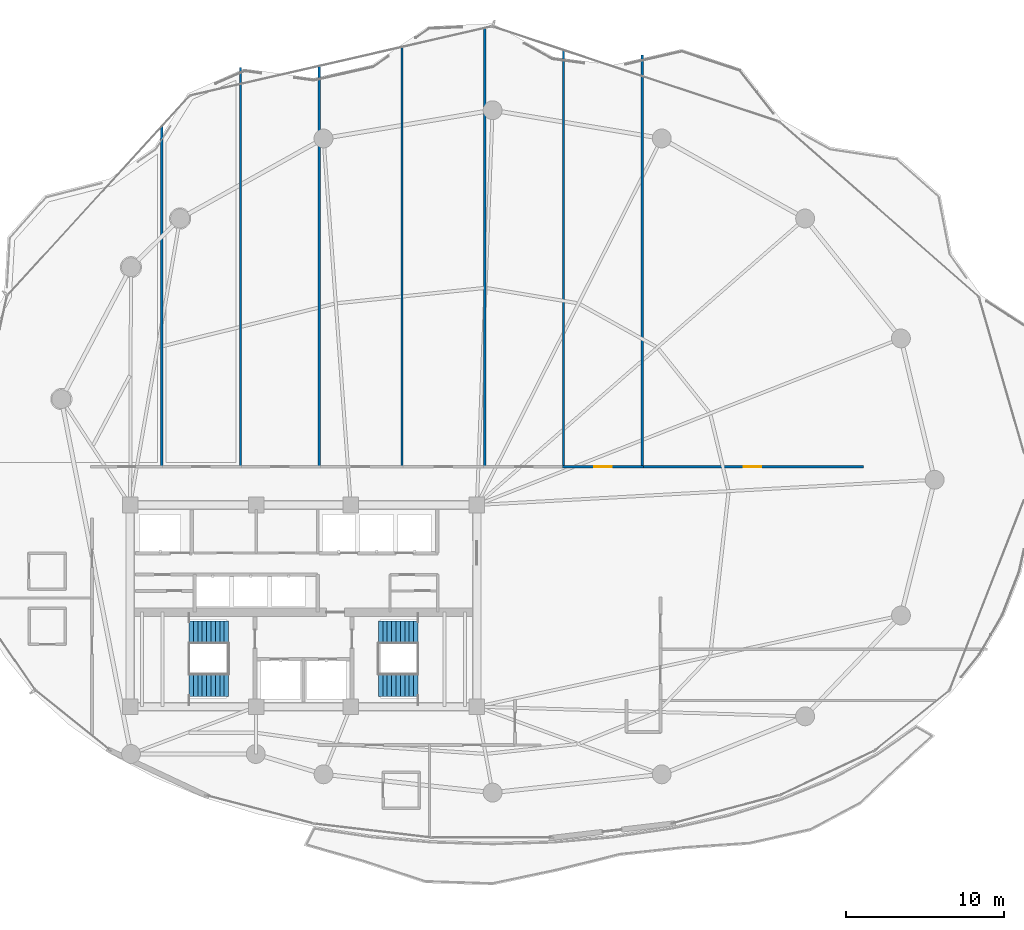
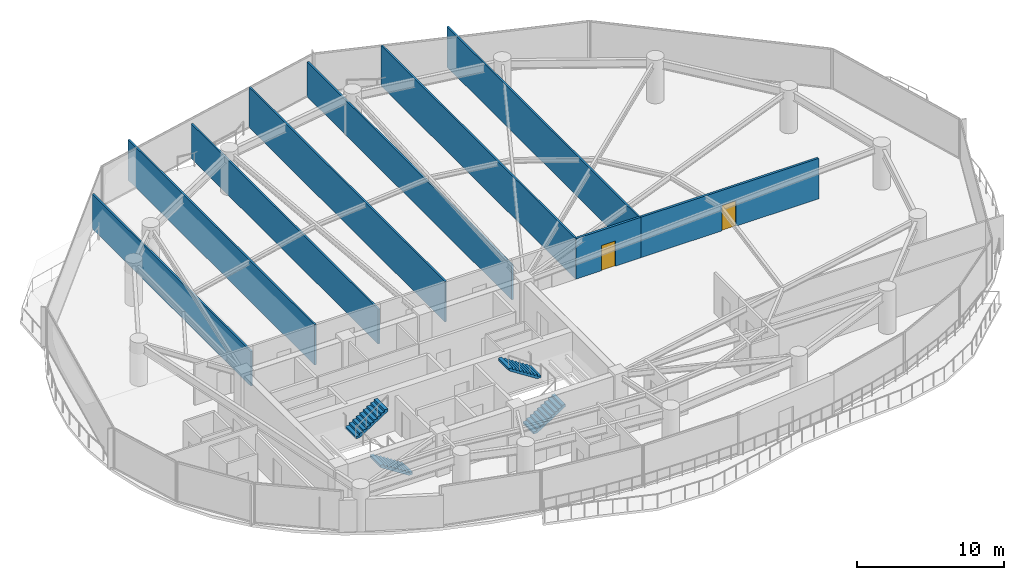
# One storey, part 28 of 34: 9 walls, 4 stair flights, 2 doors, 2 openings, 2 elements without a shape of their own.
"""IFC4 building model written with IfcOpenShell, lengths in metres."""

from ifc_helpers import new_model, si_unit, direction, frame, frame_2d, origin, place, context, subcontext, project, spatial, polyline, rectangle, outline, extrude, material, layer, layer_set, type_object, element, fill, aggregate, save


model = new_model("IFC4")

# Units and contexts
model_context = context("Model", 3, precision=1e-05, world=origin(), true_north=direction((0.0, 1.0)))
body_context = subcontext(model_context, "Body", "Model", "MODEL_VIEW")
ifc_project = project(units=[si_unit("LENGTHUNIT", "METRE"), si_unit("AREAUNIT", "SQUARE_METRE"), si_unit("VOLUMEUNIT", "CUBIC_METRE"), si_unit("PLANEANGLEUNIT", "RADIAN"), si_unit("MASSUNIT", "GRAM", prefix="KILO")], contexts=[model_context])

# Site, building, storey
site_placement = place(None, origin())
site = spatial("IfcSite", under=ifc_project, at=site_placement, CompositionType="ELEMENT")
building_placement = place(site_placement, origin())
building = spatial("IfcBuilding", under=site, at=building_placement, Name="Kazevale Care Tower and Concert Hall", CompositionType="ELEMENT")
storey_placement = place(building_placement, frame((0.0, 0.0, 156.60009765625)))
storey = spatial("IfcBuildingStorey", under=building, at=storey_placement, Name="L41", CompositionType="ELEMENT", Elevation=156.60009765625)

# Walls
ifc_material_1 = material(Name="Acoustic Gypsum on Steel Stud", Category="steel")
ifc_layer_1 = layer(ifc_material_1, 0.139892578125)
ifc_layer_set_1 = layer_set([ifc_layer_1], Name="Acoustic Gypsum on Steel Stud")
wall_type_1 = type_object("IfcWallType", Name="Acoustic Care & Suite Partition 140", PredefinedType="PARTITIONING", material=ifc_layer_set_1)
wall_1_placement = place(storey_placement, frame((24.0, 60.406005859375, 0.0), z_axis=(0.0, 0.0, 1.0), x_axis=(0.0, -1.0, 0.0)))
element("IfcWall", 1, at=wall_1_placement, inside=storey, type_object=wall_type_1, Name="wall:L41:auto_019", PredefinedType="PARTITIONING", context=body_context, shape_type="SweptSolid", body=[
    extrude(rectangle(XDim=21.611083984375, YDim=0.139892578125, at=frame_2d((10.8056640625, 0.0))), origin(), (0.0, 0.0, 1.0), 2.889892578125),
])
wall_2_placement = place(storey_placement, frame((29.0, 64.166015625, 0.0), z_axis=(0.0, 0.0, 1.0), x_axis=(0.0, -1.0, 0.0)))
element("IfcWall", 2, at=wall_2_placement, inside=storey, type_object=wall_type_1, Name="wall:L41:auto_020", PredefinedType="PARTITIONING", context=body_context, shape_type="SweptSolid", body=[
    extrude(rectangle(XDim=25.37109375, YDim=0.139892578125, at=frame_2d((12.685546875, 0.0))), origin(), (0.0, 0.0, 1.0), 3.35986328125),
])
wall_3_placement = place(storey_placement, frame((34.0, 64.244384765625, 0.0), z_axis=(0.0, 0.0, 1.0), x_axis=(0.0, -1.0, 0.0)))
element("IfcWall", 3, at=wall_3_placement, inside=storey, type_object=wall_type_1, Name="wall:L41:auto_021", PredefinedType="PARTITIONING", context=body_context, shape_type="SweptSolid", body=[
    extrude(rectangle(XDim=25.449462890625, YDim=0.139892578125, at=frame_2d((12.724609375, 0.0))), origin(), (0.0, 0.0, 1.0), 2.889892578125),
])
wall_4_placement = place(storey_placement, frame((39.25, 65.44873046875, 0.0), z_axis=(0.0, 0.0, 1.0), x_axis=(0.0, -1.0, 0.0)))
element("IfcWall", 4, at=wall_4_placement, inside=storey, type_object=wall_type_1, Name="wall:L41:auto_022", PredefinedType="PARTITIONING", context=body_context, shape_type="SweptSolid", body=[
    extrude(rectangle(XDim=26.65380859375, YDim=0.139892578125, at=frame_2d((13.326904296875, 0.0))), origin(), (0.0, 0.0, 1.0), 3.35986328125),
])
wall_5_placement = place(storey_placement, frame((44.5, 66.65283203125, 0.0), z_axis=(0.0, 0.0, 1.0), x_axis=(0.0, -1.0, 0.0)))
element("IfcWall", 5, at=wall_5_placement, inside=storey, type_object=wall_type_1, Name="wall:L41:auto_023", PredefinedType="PARTITIONING", context=body_context, shape_type="SweptSolid", body=[
    extrude(rectangle(XDim=27.85791015625, YDim=0.139892578125, at=frame_2d((13.928955078125, 0.0))), origin(), (0.0, 0.0, 1.0), 2.889892578125),
])
wall_6_placement = place(storey_placement, frame((49.5, 65.251220703125, 0.0), z_axis=(0.0, 0.0, 1.0), x_axis=(0.0, -1.0, 0.0)))
element("IfcWall", 6, at=wall_6_placement, inside=storey, type_object=wall_type_1, Name="wall:L41:auto_024", PredefinedType="PARTITIONING", context=body_context, shape_type="SweptSolid", body=[
    extrude(rectangle(XDim=26.456298828125, YDim=0.139892578125, at=frame_2d((13.22802734375, 0.0))), origin(), (0.0, 0.0, 1.0), 3.35986328125),
])
wall_7_placement = place(storey_placement, frame((54.5, 64.943115234375, 0.0), z_axis=(0.0, 0.0, 1.0), x_axis=(0.0, -1.0, 0.0)))
element("IfcWall", 7, at=wall_7_placement, inside=storey, type_object=wall_type_1, Name="wall:L41:auto_025", PredefinedType="PARTITIONING", context=body_context, shape_type="SweptSolid", body=[
    extrude(rectangle(XDim=26.148193359375, YDim=0.139892578125, at=frame_2d((13.07421875, 0.0))), origin(), (0.0, 0.0, 1.0), 3.35986328125),
])

# Wall, opening, door
ifc_material_2 = material(Name="Concrete C40 and Acoustic Gypsum", Category="concrete")
ifc_layer_2 = layer(ifc_material_2, 0.179931640625)
ifc_layer_set_2 = layer_set([ifc_layer_2], Name="Concrete C40 and Acoustic Gypsum")
wall_type_2 = type_object("IfcWallType", Name="Fire-Rated Corridor & Party Wall 180", PredefinedType="PARTITIONING", material=ifc_layer_set_2)
wall_8_placement = place(storey_placement, frame((49.43505859375, 38.824951171875, 0.0), z_axis=(0.0, 0.0, 1.0), x_axis=(1.0, 0.0, 0.0)))
wall_8 = element("IfcWall", 8, at=wall_8_placement, inside=storey, type_object=wall_type_2, Name="wall:L41:auto_007", PredefinedType="PARTITIONING", context=body_context, shape_type="SweptSolid", body=[
    extrude(rectangle(XDim=5.1298828125, YDim=0.179931640625, at=frame_2d((2.56494140625, 0.0))), origin(), (0.0, 0.0, 1.0), 3.35986328125),
])
opening_1_placement = place(wall_8_placement, frame((2.014892578125, 0.0, 0.0)))
opening_1 = element("IfcOpeningElement", 9, at=opening_1_placement, cuts=wall_8, Name="Opening ID-1100", PredefinedType="OPENING", context=body_context, shape_type="SweptSolid", body=[
    extrude(rectangle(XDim=1.10009765625, YDim=2.10009765625, at=frame_2d((0.550048828125, 1.050048828125))), frame((0.0, 0.099853515625, 0.0), z_axis=(0.0, -1.0, 0.0), x_axis=(1.0, 0.0, 0.0)), (0.0, 0.0, 1.0), 0.199951171875),
])
ifc_material_3 = material(Name="Oak Timber Fire Leaf", Category="wood")
door_type = type_object("IfcDoorType", Name="Care Bedroom Accessible Door 1100x2100", OperationType="NOTDEFINED", PredefinedType="DOOR", material=ifc_material_3)
door_1_placement = place(opening_1_placement, origin())
door_1 = element("IfcDoor", 10, at=door_1_placement, inside=storey, type_object=door_type, Name="door:L41:ad_007", OperationType="SINGLE_SWING_LEFT", OverallHeight=2.10009765625, OverallWidth=1.10009765625, PredefinedType="DOOR", context=body_context, shape_type="SweptSolid", body=[
    extrude(rectangle(XDim=1.10009765625, YDim=2.10009765625, at=frame_2d((0.550048828125, 1.050048828125))), frame((0.0, 0.02490234375, 0.0), z_axis=(0.0, -1.0, 0.0), x_axis=(1.0, 0.0, 0.0)), (0.0, 0.0, 1.0), 0.050048828125),
])
fill(opening_1, door_1)

wall_9_placement = place(storey_placement, frame((54.43505859375, 38.824951171875, 0.0), z_axis=(0.0, 0.0, 1.0), x_axis=(1.0, 0.0, 0.0)))
wall_9 = element("IfcWall", 11, at=wall_9_placement, inside=storey, type_object=wall_type_2, Name="wall:L41:auto_008", PredefinedType="PARTITIONING", context=body_context, shape_type="SweptSolid", body=[
    extrude(rectangle(XDim=14.094970703125, YDim=0.179931640625, at=frame_2d((7.04736328125, 0.0))), origin(), (0.0, 0.0, 1.0), 3.35986328125),
])
opening_2_placement = place(wall_9_placement, frame((6.498046875, 0.0, 0.0)))
opening_2 = element("IfcOpeningElement", 12, at=opening_2_placement, cuts=wall_9, Name="Opening ID-1100", PredefinedType="OPENING", context=body_context, shape_type="SweptSolid", body=[
    extrude(rectangle(XDim=1.10009765625, YDim=2.10009765625, at=frame_2d((0.550048828125, 1.050048828125))), frame((0.0, 0.099853515625, 0.0), z_axis=(0.0, -1.0, 0.0), x_axis=(1.0, 0.0, 0.0)), (0.0, 0.0, 1.0), 0.199951171875),
])
door_2_placement = place(opening_2_placement, origin())
door_2 = element("IfcDoor", 13, at=door_2_placement, inside=storey, type_object=door_type, Name="door:L41:ad_008", OperationType="SINGLE_SWING_LEFT", OverallHeight=2.10009765625, OverallWidth=1.10009765625, PredefinedType="DOOR", context=body_context, shape_type="SweptSolid", body=[
    extrude(rectangle(XDim=1.10009765625, YDim=2.10009765625, at=frame_2d((0.550048828125, 1.050048828125))), frame((0.0, 0.02490234375, 0.0), z_axis=(0.0, -1.0, 0.0), x_axis=(1.0, 0.0, 0.0)), (0.0, 0.0, 1.0), 0.050048828125),
])
fill(opening_2, door_2)

# Stair, stair flights
ifc_material_4 = material(Name="Concrete C40", Category="concrete")
stair_type = type_object("IfcStairType", Name="Exit Stair Assembly ST1-Z2", PredefinedType="HALF_TURN_STAIR", material=ifc_material_4)
stair_1_placement = place(storey_placement, origin())
stair_1 = element("IfcStair", 14, at=stair_1_placement, inside=storey, type_object=stair_type, Name="stair:L41:ST1", PredefinedType="HALF_TURN_STAIR")
ifc_layer_3 = layer(ifc_material_4, 0.159912109375)
ifc_layer_set_3 = layer_set([ifc_layer_3], Name="Concrete C40")
stair_flight_type = type_object("IfcStairFlightType", Name="Exit Stair Flight ST1-Z2", PredefinedType="STRAIGHT", material=ifc_layer_set_3)
stair_flight_1_placement = place(storey_placement, frame((28.25, 24.97998046875, 0.0), z_axis=(0.0, 0.0, 1.0), x_axis=(-1.0, 0.0, 0.0)))
stair_flight_1 = element("IfcStairFlight", 15, at=stair_flight_1_placement, type_object=stair_flight_type, Name="ST1-Z2 flight 1", NumberOfRisers=10, NumberOfTreads=9, PredefinedType="STRAIGHT", RiserHeight=0.18, TreadLength=0.28, context=body_context, shape_type="SweptSolid", body=[
    extrude(outline(polyline([(0.0, 0.0), (0.0, 0.179931640625), (0.280029296875, 0.179931640625), (0.280029296875, 0.360107421875), (0.56005859375, 0.360107421875), (0.56005859375, 0.5400390625), (0.840087890625, 0.5400390625), (0.840087890625, 0.719970703125), (1.1201171875, 0.719970703125), (1.1201171875, 0.89990234375), (1.39990234375, 0.89990234375), (1.39990234375, 1.080078125), (1.679931640625, 1.080078125), (1.679931640625, 1.260009765625), (1.9599609375, 1.260009765625), (1.9599609375, 1.43994140625), (2.239990234375, 1.43994140625), (2.239990234375, 1.6201171875), (2.52001953125, 1.6201171875), (2.52001953125, 1.800048828125), (2.52001953125, 1.429931640625), (0.295654296875, 0.0), (0.0, 0.0)])), frame((0.0, 0.72998046875, 0.0), z_axis=(0.0, -1.0, 0.0), x_axis=(1.0, 0.0, 0.0)), (0.0, 0.0, 1.0), 1.4599609375),
])
stair_flight_2_placement = place(storey_placement, frame((25.72998046875, 28.320068359375, 1.7998046875), z_axis=(0.0, 0.0, 1.0), x_axis=(1.0, 0.0, 0.0)))
stair_flight_2 = element("IfcStairFlight", 16, at=stair_flight_2_placement, type_object=stair_flight_type, Name="ST1-Z2 flight 2", NumberOfRisers=10, NumberOfTreads=9, PredefinedType="STRAIGHT", RiserHeight=0.18, TreadLength=0.28, context=body_context, shape_type="SweptSolid", body=[
    extrude(outline(polyline([(0.0, 0.0), (0.0, 0.179931640625), (0.280029296875, 0.179931640625), (0.280029296875, 0.360107421875), (0.56005859375, 0.360107421875), (0.56005859375, 0.5400390625), (0.840087890625, 0.5400390625), (0.840087890625, 0.719970703125), (1.1201171875, 0.719970703125), (1.1201171875, 0.89990234375), (1.39990234375, 0.89990234375), (1.39990234375, 1.080078125), (1.679931640625, 1.080078125), (1.679931640625, 1.260009765625), (1.9599609375, 1.260009765625), (1.9599609375, 1.43994140625), (2.239990234375, 1.43994140625), (2.239990234375, 1.6201171875), (2.52001953125, 1.6201171875), (2.52001953125, 1.800048828125), (2.52001953125, 1.429931640625), (0.295654296875, 0.0), (0.0, 0.0)])), frame((0.0, 0.72998046875, 0.0), z_axis=(0.0, -1.0, 0.0), x_axis=(1.0, 0.0, 0.0)), (0.0, 0.0, 1.0), 1.4599609375),
])
aggregate(stair_1, [stair_flight_1, stair_flight_2])

stair_2_placement = place(storey_placement, origin())
stair_2 = element("IfcStair", 17, at=stair_2_placement, inside=storey, type_object=stair_type, Name="stair:L41:ST2", PredefinedType="HALF_TURN_STAIR")
stair_flight_3_placement = place(storey_placement, frame((37.75, 24.97998046875, 0.0), z_axis=(0.0, 0.0, 1.0), x_axis=(1.0, 0.0, 0.0)))
stair_flight_3 = element("IfcStairFlight", 18, at=stair_flight_3_placement, type_object=stair_flight_type, Name="ST1-Z2 flight 1", NumberOfRisers=10, NumberOfTreads=9, PredefinedType="STRAIGHT", RiserHeight=0.18, TreadLength=0.28, context=body_context, shape_type="SweptSolid", body=[
    extrude(outline(polyline([(0.0, 0.0), (0.0, 0.179931640625), (0.280029296875, 0.179931640625), (0.280029296875, 0.360107421875), (0.56005859375, 0.360107421875), (0.56005859375, 0.5400390625), (0.840087890625, 0.5400390625), (0.840087890625, 0.719970703125), (1.1201171875, 0.719970703125), (1.1201171875, 0.89990234375), (1.39990234375, 0.89990234375), (1.39990234375, 1.080078125), (1.679931640625, 1.080078125), (1.679931640625, 1.260009765625), (1.9599609375, 1.260009765625), (1.9599609375, 1.43994140625), (2.239990234375, 1.43994140625), (2.239990234375, 1.6201171875), (2.52001953125, 1.6201171875), (2.52001953125, 1.800048828125), (2.52001953125, 1.429931640625), (0.295654296875, 0.0), (0.0, 0.0)])), frame((0.0, 0.72998046875, 0.0), z_axis=(0.0, -1.0, 0.0), x_axis=(1.0, 0.0, 0.0)), (0.0, 0.0, 1.0), 1.4599609375),
])
stair_flight_4_placement = place(storey_placement, frame((40.27001953125, 28.320068359375, 1.7998046875), z_axis=(0.0, 0.0, 1.0), x_axis=(-1.0, 0.0, 0.0)))
stair_flight_4 = element("IfcStairFlight", 19, at=stair_flight_4_placement, type_object=stair_flight_type, Name="ST1-Z2 flight 2", NumberOfRisers=10, NumberOfTreads=9, PredefinedType="STRAIGHT", RiserHeight=0.18, TreadLength=0.28, context=body_context, shape_type="SweptSolid", body=[
    extrude(outline(polyline([(0.0, 0.0), (0.0, 0.179931640625), (0.280029296875, 0.179931640625), (0.280029296875, 0.360107421875), (0.56005859375, 0.360107421875), (0.56005859375, 0.5400390625), (0.840087890625, 0.5400390625), (0.840087890625, 0.719970703125), (1.1201171875, 0.719970703125), (1.1201171875, 0.89990234375), (1.39990234375, 0.89990234375), (1.39990234375, 1.080078125), (1.679931640625, 1.080078125), (1.679931640625, 1.260009765625), (1.9599609375, 1.260009765625), (1.9599609375, 1.43994140625), (2.239990234375, 1.43994140625), (2.239990234375, 1.6201171875), (2.52001953125, 1.6201171875), (2.52001953125, 1.800048828125), (2.52001953125, 1.429931640625), (0.295654296875, 0.0), (0.0, 0.0)])), frame((0.0, 0.72998046875, 0.0), z_axis=(0.0, -1.0, 0.0), x_axis=(1.0, 0.0, 0.0)), (0.0, 0.0, 1.0), 1.4599609375),
])
aggregate(stair_2, [stair_flight_3, stair_flight_4])

save(model, "model.ifc")
